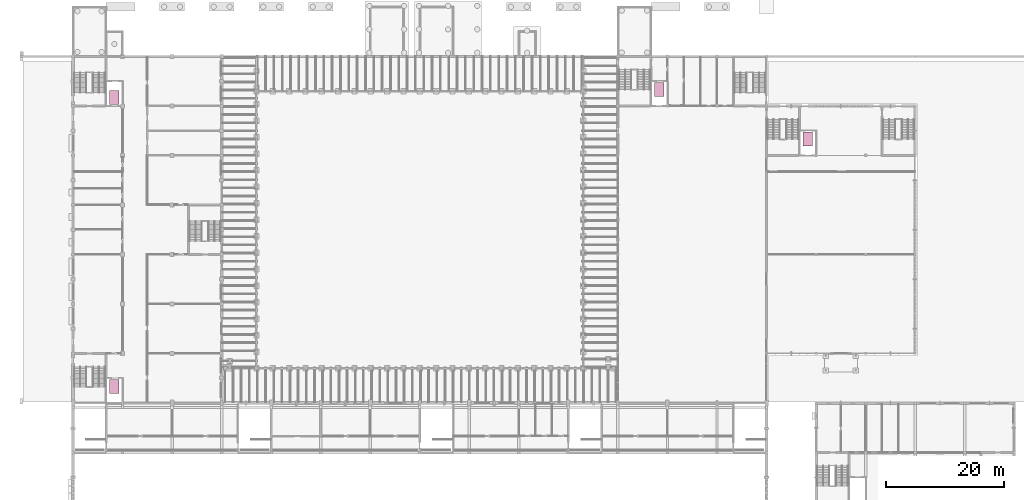
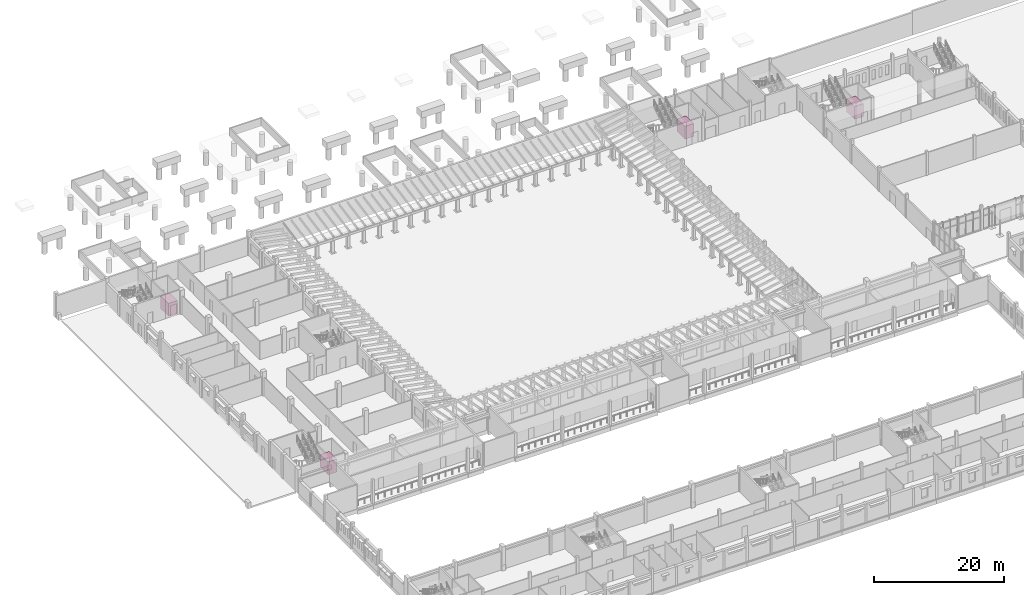
# One storey, part 60 of 60: 4 transport elements.
"""IFC4 building model written with IfcOpenShell, lengths in metres."""

from ifc_helpers import new_model, si_unit, direction, frame, origin, origin_2d, place, context, subcontext, project, spatial, rectangle, extrude, material, type_object, element, save


model = new_model("IFC4")

# Units and contexts
model_context = context("Model", 3, precision=1e-05, world=origin(), true_north=direction((0.0, 1.0)))
body_context = subcontext(model_context, "Body", "Model", "MODEL_VIEW")
ifc_project = project(units=[si_unit("LENGTHUNIT", "METRE"), si_unit("AREAUNIT", "SQUARE_METRE"), si_unit("VOLUMEUNIT", "CUBIC_METRE"), si_unit("PLANEANGLEUNIT", "RADIAN"), si_unit("MASSUNIT", "GRAM", prefix="KILO")], contexts=[model_context])

# Site, building, storey
site_placement = place(None, origin())
site = spatial("IfcSite", under=ifc_project, at=site_placement, CompositionType="ELEMENT")
building_placement = place(site_placement, origin())
building = spatial("IfcBuilding", under=site, at=building_placement, Name="Fescue Hill Polytechnic", CompositionType="ELEMENT")
storey_placement = place(building_placement, frame((0.0, 0.0, 4.5)))
storey = spatial("IfcBuildingStorey", under=building, at=storey_placement, Name="L01", CompositionType="ELEMENT", Elevation=4.5)

# Transport elements
ifc_material = material(Name="Stainless steel", Category="steel")
transport_element_type = type_object("IfcTransportElementType", Name="Passenger lift 1600 kg stretcher car", PredefinedType="ELEVATOR", material=ifc_material)
for number, where, z_axis, x_axis, name in (
    (1, (124.60009765625, 95.199951171875, 0.0), (0.0, 0.0, 1.0), (1.0, 0.0, 0.0), "LF-V2-1 lift car"),
    (2, (7.012451171875, 53.199951171875, 0.0), (0.0, 0.0, 1.0), (1.0, 0.0, 0.0), "LF-V4-1 lift car"),
    (3, (7.012451171875, 102.199951171875, 0.0), (0.0, 0.0, 1.0), (1.0, 0.0, 0.0), "LF-V4-2 lift car"),
    (4, (99.39990234375, 103.60009765625, 0.0), (0.0, 0.0, 1.0), (1.0, 0.0, 0.0), "LF-V6-1 lift car"),
):
    element("IfcTransportElement", number, at=place(storey_placement, frame(where, z_axis=z_axis, x_axis=x_axis)), inside=storey, type_object=transport_element_type, Name=name, PredefinedType="ELEVATOR", context=body_context, shape_type="SweptSolid", body=[
        extrude(rectangle(XDim=1.60009765625, YDim=2.39990234375, at=origin_2d()), origin(), (0.0, 0.0, 1.0), 2.39990234375),
    ])

save(model, "model.ifc")
